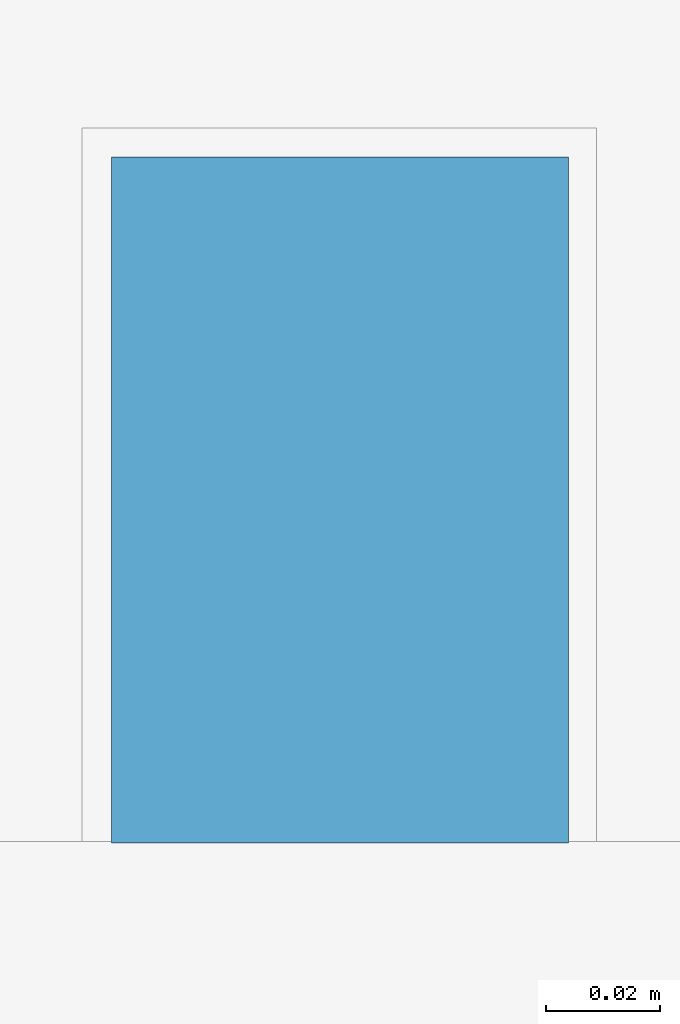
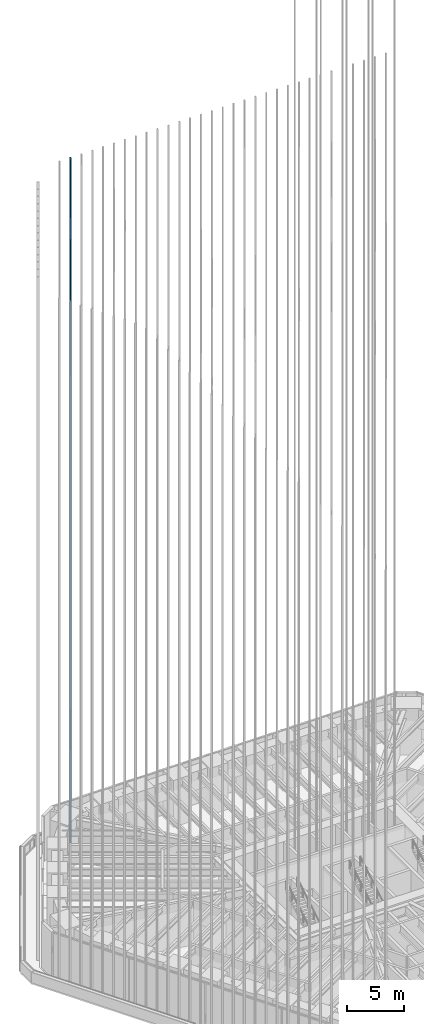
# One storey, part 156 of 228: 1 member, 1 element without a shape of its own.
"""IFC4 building model written with IfcOpenShell, lengths in metres."""

import ifcopenshell
import ifcopenshell.guid

model = None  # the IFC model being written
_history = None  # IfcOwnerHistory: only IFC2X3 demands one
_inside = {}  # id of a spatial element -> (the spatial element, [elements in it])
_under = {}  # id of a project, library or spatial element -> (it, [spatial elements below it])
_declared = {}  # id of a project -> (the project, [libraries it declares])
_typed = {}  # id of a type object -> (the type object, [elements of that type])
_made_of = {}  # id of a material, layer set ... -> (it, [elements and type objects made of it])


def new_model(schema):
    """Start an empty IFC model of exactly this schema.

    Asked for "IFC4X3", IfcOpenShell would pick the latest addendum, in which some entities
    have other attributes; the version numbers below select the first issue.
    IFC2X3 requires an IfcOwnerHistory on every rooted entity: one is made here for all.
    """
    global model, _history
    if schema == "IFC4X3":
        model = ifcopenshell.file(schema_version=(4, 3, 0, 0))
    else:
        model = ifcopenshell.file(schema=schema)
    _inside.clear()
    _under.clear()
    _declared.clear()
    _typed.clear()
    _made_of.clear()
    _history = None
    if model.schema == "IFC2X3":
        org = make("IfcOrganization", Name="unknown")
        user = make(
            "IfcPersonAndOrganization",
            ThePerson=make("IfcPerson", FamilyName="unknown"),
            TheOrganization=org,
        )
        app = make(
            "IfcApplication",
            ApplicationDeveloper=org,
            Version="unknown",
            ApplicationFullName="unknown",
            ApplicationIdentifier="unknown",
        )
        _history = make(
            "IfcOwnerHistory",
            OwningUser=user,
            OwningApplication=app,
            ChangeAction="ADDED",
            CreationDate=0,
        )
    return model


def make(cls, **values):
    """One entity of the class cls with the attributes given. An attribute that is None is left unset."""
    return model.create_entity(
        cls, **{name: value for name, value in values.items() if value is not None}
    )


def rooted(cls, **values):
    """An entity with a GlobalId (a new one), such as an element, a storey or a relation."""
    return make(cls, GlobalId=ifcopenshell.guid.new(), OwnerHistory=_history, **values)


def si_unit(unit_type, name, prefix=None):
    """IfcSIUnit, for example si_unit("LENGTHUNIT", "METRE", prefix="MILLI")."""
    return make("IfcSIUnit", UnitType=unit_type, Prefix=prefix, Name=name)


def assignment(units):
    """IfcUnitAssignment: the units of a project."""
    return None if units is None else make("IfcUnitAssignment", Units=units)


def point(xyz):
    """IfcCartesianPoint."""
    return None if xyz is None else make("IfcCartesianPoint", Coordinates=xyz)


def direction(xyz):
    """IfcDirection."""
    return None if xyz is None else make("IfcDirection", DirectionRatios=xyz)


def frame(location, z_axis=None, x_axis=None):
    """IfcAxis2Placement3D, a coordinate frame: its origin and axes. An axis left out is left unset."""
    return make(
        "IfcAxis2Placement3D",
        Location=point(location),
        Axis=direction(z_axis),
        RefDirection=direction(x_axis),
    )


def frame_2d(location, x_axis=None):
    """IfcAxis2Placement2D, a coordinate frame in the plane: its origin and x axis."""
    return make(
        "IfcAxis2Placement2D", Location=point(location), RefDirection=direction(x_axis)
    )


def origin():
    """The frame at (0, 0, 0) with its axes left unset."""
    return frame((0.0, 0.0, 0.0))


def origin_2d():
    """The frame at (0, 0) in the plane with its x axis left unset."""
    return frame_2d((0.0, 0.0))


def place(relative_to, where):
    """IfcLocalPlacement: puts the frame where relative to a parent placement (None: the world)."""
    return make(
        "IfcLocalPlacement", PlacementRelTo=relative_to, RelativePlacement=where
    )


def context(
    kind, dimensions, precision=None, world=None, true_north=None, identifier=None
):
    """IfcGeometricRepresentationContext, for example the 3D "Model" context."""
    return make(
        "IfcGeometricRepresentationContext",
        ContextIdentifier=identifier,
        ContextType=kind,
        CoordinateSpaceDimension=dimensions,
        Precision=precision,
        WorldCoordinateSystem=world,
        TrueNorth=true_north,
    )


def subcontext(parent, identifier, kind, view, scale=None):
    """IfcGeometricRepresentationSubContext, for example "Body" below "Model"."""
    return make(
        "IfcGeometricRepresentationSubContext",
        ContextIdentifier=identifier,
        ContextType=kind,
        ParentContext=parent,
        TargetScale=scale,
        TargetView=view,
    )


def project(units=None, contexts=None):
    """IfcProject with its units and contexts."""
    return rooted(
        "IfcProject",
        Name="project",
        RepresentationContexts=contexts,
        UnitsInContext=assignment(units),
    )


def spatial(cls, under=None, at=None, **own):
    """A site, building, storey or space (cls), placed at a placement, below another one or the project."""
    s = rooted(cls, ObjectPlacement=at, **own)
    if under is not None:
        _under.setdefault(under.id(), (under, []))[1].append(s)
    return s


def profile(cls, at=None, kind="AREA", **sizes):
    """A parametric profile (cls). Its sizes go by their IFC names, for example OverallWidth=200.0."""
    return make(cls, ProfileType=kind, Position=at, **sizes)


def rectangle(**sizes):
    """IfcRectangleProfileDef."""
    return profile("IfcRectangleProfileDef", **sizes)


def extrude(swept, where, along, depth):
    """IfcExtrudedAreaSolid: the profile swept, set in the frame where, extruded along a direction by depth."""
    return make(
        "IfcExtrudedAreaSolid",
        SweptArea=swept,
        Position=where,
        ExtrudedDirection=direction(along),
        Depth=depth,
    )


def shape(context_of_items, identifier, shape_type, items):
    """IfcShapeRepresentation: the items that make up one representation, for example the "Body"."""
    return make(
        "IfcShapeRepresentation",
        ContextOfItems=context_of_items,
        RepresentationIdentifier=identifier,
        RepresentationType=shape_type,
        Items=items,
    )


def material(Name=None, Category=None):
    """IfcMaterial."""
    return make("IfcMaterial", Name=Name, Category=Category)


def material_profile(
    of_material, cross_section, Name=None, Category=None, Priority=None
):
    """IfcMaterialProfile: a cross section and its material."""
    return make(
        "IfcMaterialProfile",
        Name=Name,
        Material=of_material,
        Profile=cross_section,
        Priority=Priority,
        Category=Category,
    )


def profile_set(profiles, Name=None, composite=None):
    """IfcMaterialProfileSet."""
    return make(
        "IfcMaterialProfileSet",
        Name=Name,
        MaterialProfiles=profiles,
        CompositeProfile=composite,
    )


def made_of(thing, what):
    """Note that an element or type object is made of a material, layer set ...; save() writes the relation."""
    if what is not None:
        _made_of.setdefault(what.id(), (what, []))[1].append(thing)
    return thing


def type_object(cls, material=None, **own):
    """A type object (cls), such as IfcWallType, which elements share."""
    return made_of(rooted(cls, **own), material)


def element(
    cls,
    number,
    at=None,
    inside=None,
    cuts=None,
    type_object=None,
    material=None,
    context=None,
    identifier="Body",
    shape_type=None,
    held_by="IfcProductDefinitionShape",
    body=None,
    shapes=None,
    **own,
):
    """One element of the class cls, such as IfcWall. Its Tag is "e" and its number.

    at: its placement. inside: the storey or other place that contains it. cuts: it is an
    opening in that element (IfcRelVoidsElement). A single representation is given by context,
    identifier, shape_type and body (its items); several are given by shapes. held_by: the class
    of the entity that holds the representations. save() writes the other relations.
    """
    e = rooted(cls, Tag="e%d" % number, ObjectPlacement=at, **own)
    if body is not None:
        shapes = [shape(context, identifier, shape_type, body)]
    if shapes is not None:
        e.Representation = make(held_by, Representations=shapes)
    if inside is not None:
        _inside.setdefault(inside.id(), (inside, []))[1].append(e)
    if cuts is not None:
        rooted(
            "IfcRelVoidsElement", RelatingBuildingElement=cuts, RelatedOpeningElement=e
        )
    if type_object is not None:
        _typed.setdefault(type_object.id(), (type_object, []))[1].append(e)
    return made_of(e, material)


def aggregate(whole, parts):
    """IfcRelAggregates: a whole, such as a stair, and the parts it consists of."""
    return rooted("IfcRelAggregates", RelatingObject=whole, RelatedObjects=parts)


def save(model, path):
    """Write the relations noted so far, then the file.

    IfcRelAggregates (storeys below a building ...), IfcRelContainedInSpatialStructure (elements
    in a storey), IfcRelDefinesByType, IfcRelAssociatesMaterial and IfcRelDeclares: one each for
    every whole, place, type object, material and project.
    """
    for whole, parts in _under.values():
        aggregate(whole, parts)
    for where, things in _inside.values():
        rooted(
            "IfcRelContainedInSpatialStructure",
            RelatedElements=things,
            RelatingStructure=where,
        )
    for kind, things in _typed.values():
        rooted("IfcRelDefinesByType", RelatedObjects=things, RelatingType=kind)
    for what, things in _made_of.values():
        rooted("IfcRelAssociatesMaterial", RelatedObjects=things, RelatingMaterial=what)
    for by, libraries in _declared.values():
        rooted("IfcRelDeclares", RelatingContext=by, RelatedDefinitions=libraries)
    model.write(path)


model = new_model("IFC4")

# Units and contexts
model_context = context("Model", 3, precision=1e-05, world=origin(), true_north=direction((0.0, 1.0)))
body_context = subcontext(model_context, "Body", "Model", "MODEL_VIEW")
ifc_project = project(units=[si_unit("LENGTHUNIT", "METRE"), si_unit("AREAUNIT", "SQUARE_METRE"), si_unit("VOLUMEUNIT", "CUBIC_METRE"), si_unit("PLANEANGLEUNIT", "RADIAN"), si_unit("MASSUNIT", "GRAM", prefix="KILO")], contexts=[model_context])

# Site, building, storey
site_placement = place(None, origin())
site = spatial("IfcSite", under=ifc_project, at=site_placement, CompositionType="ELEMENT")
building_placement = place(site_placement, origin())
building = spatial("IfcBuilding", under=site, at=building_placement, Name="Sandreach Pilgrim Tower", CompositionType="ELEMENT")
storey_placement = place(building_placement, frame((0.0, 0.0, 178.199951171875)))
storey = spatial("IfcBuildingStorey", under=building, at=storey_placement, Name="L44", CompositionType="ELEMENT", Elevation=178.199951171875)

# Curtain wall, member
ifc_material_1 = material(Name="Aluminium framed curtain wall", Category="aluminium")
curtain_wall_type = type_object("IfcCurtainWallType", Name="Upper hotel tower curtain wall", PredefinedType="NOTDEFINED", material=ifc_material_1)
curtain_wall_placement = place(storey_placement, origin())
curtain_wall = element("IfcCurtainWall", 1, at=curtain_wall_placement, inside=storey, type_object=curtain_wall_type, Name="CW-3 L44 N", PredefinedType="NOTDEFINED")
ifc_material_2 = material(Name="Extruded terracotta on aluminium core", Category="masonry")
ifc_material_profile = material_profile(ifc_material_2, rectangle(XDim=0.080078125, YDim=0.1201171875, at=origin_2d()), Name="TBN 80X120")
ifc_profile_set = profile_set([ifc_material_profile], Name="Extruded terracotta on aluminium core")
member_type = type_object("IfcMemberType", Name="Terracotta baguette north", PredefinedType="USERDEFINED", material=ifc_profile_set)
member_placement = place(storey_placement, frame((-15.39794921875, 21.52001953125, 0.0), z_axis=(0.0, 0.0, 1.0), x_axis=(1.0, 0.0, 0.0)))
member = element("IfcMember", 2, at=member_placement, type_object=member_type, Name="Baguette Z3 N02", ObjectType="BAGUETTE", PredefinedType="USERDEFINED", context=body_context, shape_type="SweptSolid", body=[
    extrude(rectangle(XDim=0.080078125, YDim=0.1201171875, at=origin_2d()), origin(), (0.0, 0.0, 1.0), 73.239990234375),
])
aggregate(curtain_wall, [member])

save(model, "model.ifc")
